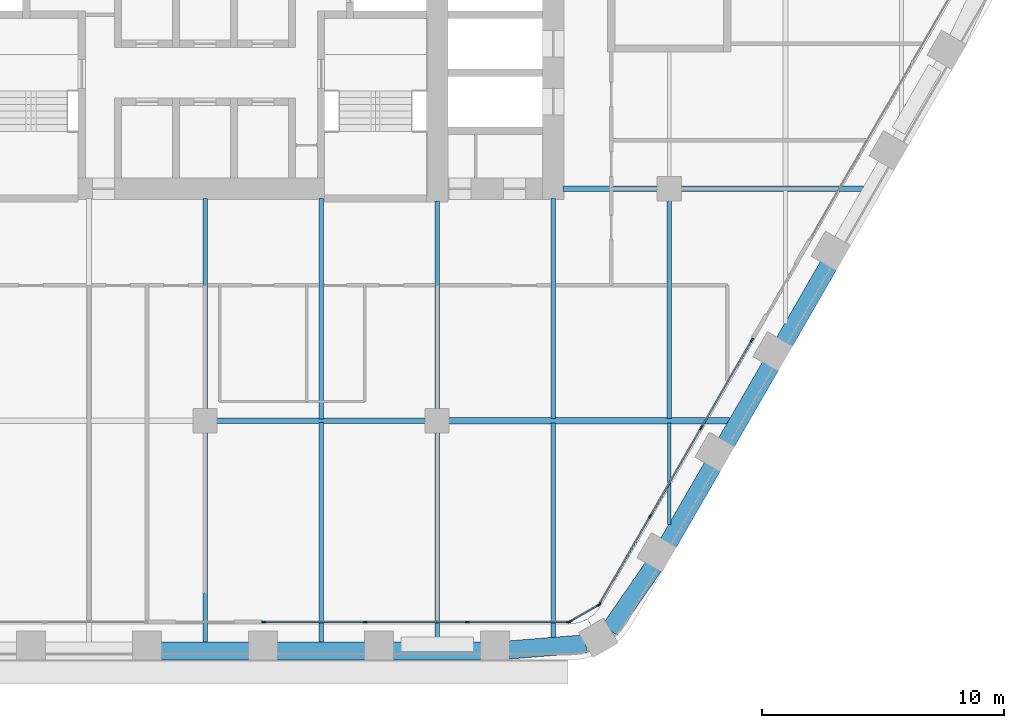
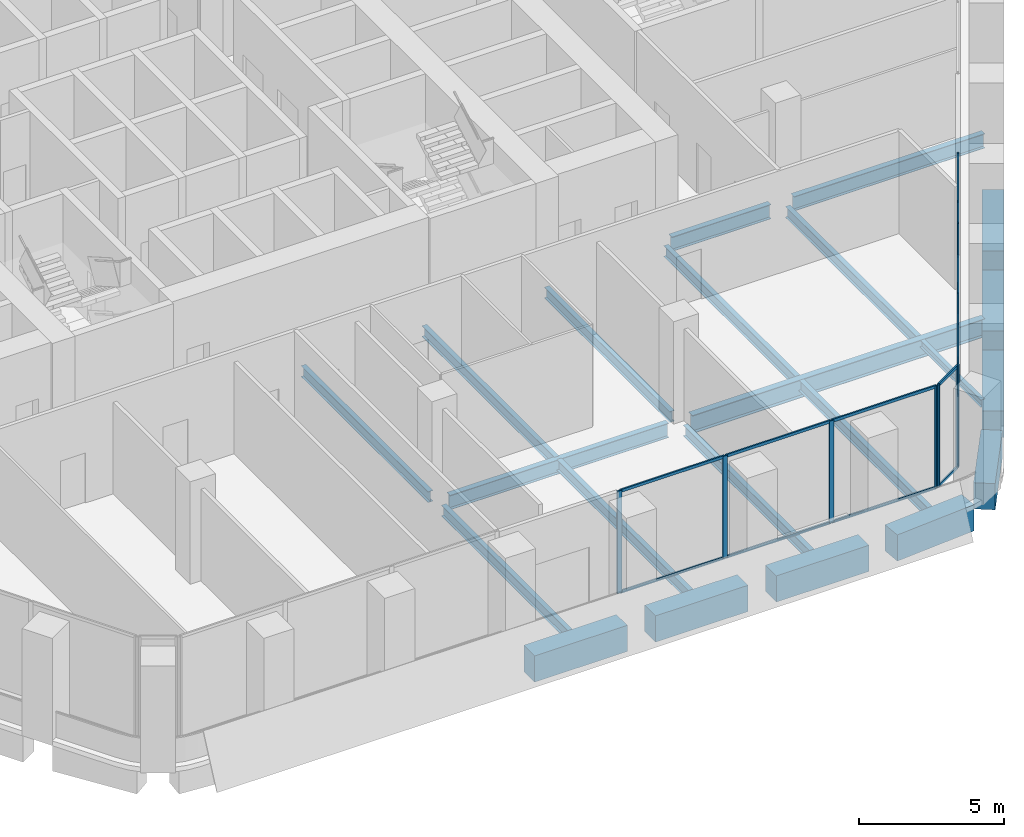
# One storey, part 4 of 23: 24 members, 22 beams, 3 elements without a shape of their own.
"""IFC4 building model written with IfcOpenShell, lengths in metres."""

from ifc_helpers import new_model, si_unit, direction, frame, origin, origin_2d, place, context, subcontext, project, spatial, rectangle, i_section, extrude, material, material_profile, profile_set, type_object, element, aggregate, save


model = new_model("IFC4")

# Units and contexts
model_context = context("Model", 3, precision=1e-05, world=origin(), true_north=direction((0.0, 1.0)))
body_context = subcontext(model_context, "Body", "Model", "MODEL_VIEW")
ifc_project = project(units=[si_unit("LENGTHUNIT", "METRE"), si_unit("AREAUNIT", "SQUARE_METRE"), si_unit("VOLUMEUNIT", "CUBIC_METRE"), si_unit("PLANEANGLEUNIT", "RADIAN"), si_unit("MASSUNIT", "GRAM", prefix="KILO")], contexts=[model_context])

# Site, building, storey
site_placement = place(None, origin())
site = spatial("IfcSite", under=ifc_project, at=site_placement, CompositionType="ELEMENT")
building_placement = place(site_placement, origin())
building = spatial("IfcBuilding", under=site, at=building_placement, Name="Kolab Exchange Tower", CompositionType="ELEMENT")
storey_placement = place(building_placement, frame((0.0, 0.0, 95.89990234375)))
storey = spatial("IfcBuildingStorey", under=building, at=storey_placement, Name="L18", CompositionType="ELEMENT", Elevation=95.89990234375)

# Beams
ifc_material_1 = material(Name="Steel S355", Category="steel")
ifc_material_profile_1 = material_profile(ifc_material_1, i_section(OverallWidth=0.1650390625, OverallDepth=0.31005859375, WebThickness=0.005859375, FlangeThickness=0.009765625, at=origin_2d()), Name="W310X39")
ifc_profile_set_1 = profile_set([ifc_material_profile_1], Name="Steel S355")
beam_type_1 = type_object("IfcBeamType", Name="FLOOR BEAM W310X39", PredefinedType="BEAM", material=ifc_profile_set_1)
beam_1_placement = place(storey_placement, frame((19.199951171875, -23.4814453125, -0.35498046875), z_axis=(0.0, 1.0, 0.0), x_axis=(-1.0, 0.0, 0.0)))
element("IfcBeam", 1, at=beam_1_placement, inside=storey, type_object=beam_type_1, Name="beam/L18/fr/040", PredefinedType="BEAM", context=body_context, shape_type="SweptSolid", body=[
    extrude(i_section(OverallWidth=0.1650390625, OverallDepth=0.31005859375, WebThickness=0.005859375, FlangeThickness=0.009765625, at=origin_2d()), origin(), (0.0, 0.0, 1.0), 4.18798828125),
])
ifc_material_profile_2 = material_profile(ifc_material_1, i_section(OverallWidth=0.18994140625, OverallDepth=0.45703125, WebThickness=0.009033203125, FlangeThickness=0.014404296875, at=origin_2d()), Name="W460X74")
ifc_profile_set_2 = profile_set([ifc_material_profile_2], Name="Steel S355")
beam_type_2 = type_object("IfcBeamType", Name="FLOOR BEAM W460X74", PredefinedType="BEAM", material=ifc_profile_set_2)
beam_2_placement = place(storey_placement, frame((0.0, -28.388427734375, -0.428466796875), z_axis=(0.0, 1.0, 0.0), x_axis=(-1.0, 0.0, 0.0)))
element("IfcBeam", 2, at=beam_2_placement, inside=storey, type_object=beam_type_2, Name="beam/L18/fr/024", PredefinedType="BEAM", context=body_context, shape_type="SweptSolid", body=[
    extrude(i_section(OverallWidth=0.18994140625, OverallDepth=0.45703125, WebThickness=0.009033203125, FlangeThickness=0.014404296875, at=origin_2d()), origin(), (0.0, 0.0, 1.0), 8.728515625),
])
beam_3_placement = place(storey_placement, frame((0.0, -18.739990234375, -0.428466796875), z_axis=(0.0, 1.0, 0.0), x_axis=(-1.0, 0.0, 0.0)))
element("IfcBeam", 3, at=beam_3_placement, inside=storey, type_object=beam_type_2, Name="beam/L18/fr/025", PredefinedType="BEAM", context=body_context, shape_type="SweptSolid", body=[
    extrude(i_section(OverallWidth=0.18994140625, OverallDepth=0.45703125, WebThickness=0.009033203125, FlangeThickness=0.014404296875, at=origin_2d()), origin(), (0.0, 0.0, 1.0), 8.72998046875),
])
beam_4_placement = place(storey_placement, frame((4.800048828125, -28.388427734375, -0.428466796875), z_axis=(0.0, 1.0, 0.0), x_axis=(-1.0, 0.0, 0.0)))
element("IfcBeam", 4, at=beam_4_placement, inside=storey, type_object=beam_type_2, Name="beam/L18/fr/028", PredefinedType="BEAM", context=body_context, shape_type="SweptSolid", body=[
    extrude(i_section(OverallWidth=0.18994140625, OverallDepth=0.45703125, WebThickness=0.009033203125, FlangeThickness=0.014404296875, at=origin_2d()), origin(), (0.0, 0.0, 1.0), 9.114501953125),
])
beam_5_placement = place(storey_placement, frame((4.800048828125, -19.1259765625, -0.428466796875), z_axis=(0.0, 1.0, 0.0), x_axis=(-1.0, 0.0, 0.0)))
element("IfcBeam", 5, at=beam_5_placement, inside=storey, type_object=beam_type_2, Name="beam/L18/fr/029", PredefinedType="BEAM", context=body_context, shape_type="SweptSolid", body=[
    extrude(i_section(OverallWidth=0.18994140625, OverallDepth=0.45703125, WebThickness=0.009033203125, FlangeThickness=0.014404296875, at=origin_2d()), origin(), (0.0, 0.0, 1.0), 9.115966796875),
])
beam_6_placement = place(storey_placement, frame((9.60009765625, -28.388427734375, -0.428466796875), z_axis=(0.0, 1.0, 0.0), x_axis=(-1.0, 0.0, 0.0)))
element("IfcBeam", 6, at=beam_6_placement, inside=storey, type_object=beam_type_2, Name="beam/L18/fr/032", PredefinedType="BEAM", context=body_context, shape_type="SweptSolid", body=[
    extrude(i_section(OverallWidth=0.18994140625, OverallDepth=0.45703125, WebThickness=0.009033203125, FlangeThickness=0.014404296875, at=origin_2d()), origin(), (0.0, 0.0, 1.0), 8.728515625),
])
beam_7_placement = place(storey_placement, frame((9.60009765625, -18.739990234375, -0.428466796875), z_axis=(0.0, 1.0, 0.0), x_axis=(-1.0, 0.0, 0.0)))
element("IfcBeam", 7, at=beam_7_placement, inside=storey, type_object=beam_type_2, Name="beam/L18/fr/033", PredefinedType="BEAM", context=body_context, shape_type="SweptSolid", body=[
    extrude(i_section(OverallWidth=0.18994140625, OverallDepth=0.45703125, WebThickness=0.009033203125, FlangeThickness=0.014404296875, at=origin_2d()), origin(), (0.0, 0.0, 1.0), 8.6298828125),
])
beam_8_placement = place(storey_placement, frame((14.39990234375, -28.194580078125, -0.428466796875), z_axis=(0.0, 1.0, 0.0), x_axis=(-1.0, 0.0, 0.0)))
element("IfcBeam", 8, at=beam_8_placement, inside=storey, type_object=beam_type_2, Name="beam/L18/fr/036", PredefinedType="BEAM", context=body_context, shape_type="SweptSolid", body=[
    extrude(i_section(OverallWidth=0.18994140625, OverallDepth=0.45703125, WebThickness=0.009033203125, FlangeThickness=0.014404296875, at=origin_2d()), origin(), (0.0, 0.0, 1.0), 8.901123046875),
])
beam_9_placement = place(storey_placement, frame((14.39990234375, -19.1064453125, -0.428466796875), z_axis=(0.0, 1.0, 0.0), x_axis=(-1.0, 0.0, 0.0)))
element("IfcBeam", 9, at=beam_9_placement, inside=storey, type_object=beam_type_2, Name="beam/L18/fr/037", PredefinedType="BEAM", context=body_context, shape_type="SweptSolid", body=[
    extrude(i_section(OverallWidth=0.18994140625, OverallDepth=0.45703125, WebThickness=0.009033203125, FlangeThickness=0.014404296875, at=origin_2d()), origin(), (0.0, 0.0, 1.0), 9.096435546875),
])
beam_10_placement = place(storey_placement, frame((19.199951171875, -19.1064453125, -0.428466796875), z_axis=(0.0, 1.0, 0.0), x_axis=(-1.0, 0.0, 0.0)))
element("IfcBeam", 10, at=beam_10_placement, inside=storey, type_object=beam_type_2, Name="beam/L18/fr/041", PredefinedType="BEAM", context=body_context, shape_type="SweptSolid", body=[
    extrude(i_section(OverallWidth=0.18994140625, OverallDepth=0.45703125, WebThickness=0.009033203125, FlangeThickness=0.014404296875, at=origin_2d()), origin(), (0.0, 0.0, 1.0), 9.04638671875),
])
ifc_material_profile_3 = material_profile(ifc_material_1, i_section(OverallWidth=0.22802734375, OverallDepth=0.60791015625, WebThickness=0.01123046875, FlangeThickness=0.017333984375, at=origin_2d()), Name="W610X113")
ifc_profile_set_3 = profile_set([ifc_material_profile_3], Name="Steel S355")
beam_type_3 = type_object("IfcBeamType", Name="FLOOR GIRDER W610X113", PredefinedType="BEAM", material=ifc_profile_set_3)
beam_11_placement = place(storey_placement, frame((0.4599609375, -19.199951171875, -0.50390625), z_axis=(1.0, 0.0, 0.0), x_axis=(0.0, 1.0, 0.0)))
element("IfcBeam", 11, at=beam_11_placement, inside=storey, type_object=beam_type_3, Name="beam/L18/gd/010", PredefinedType="BEAM", context=body_context, shape_type="SweptSolid", body=[
    extrude(i_section(OverallWidth=0.22802734375, OverallDepth=0.60791015625, WebThickness=0.01123046875, FlangeThickness=0.017333984375, at=origin_2d()), origin(), (0.0, 0.0, 1.0), 8.679931640625),
])
beam_12_placement = place(storey_placement, frame((14.81005859375, -9.60009765625, -0.50390625), z_axis=(1.0, 0.0, 0.0), x_axis=(0.0, 1.0, 0.0)))
element("IfcBeam", 12, at=beam_12_placement, inside=storey, type_object=beam_type_3, Name="beam/L18/gd/014", PredefinedType="BEAM", context=body_context, shape_type="SweptSolid", body=[
    extrude(i_section(OverallWidth=0.22802734375, OverallDepth=0.60791015625, WebThickness=0.01123046875, FlangeThickness=0.017333984375, at=origin_2d()), origin(), (0.0, 0.0, 1.0), 3.929931640625),
])
beam_13_placement = place(storey_placement, frame((19.659912109375, -9.60009765625, -0.50390625), z_axis=(1.0, 0.0, 0.0), x_axis=(0.0, 1.0, 0.0)))
element("IfcBeam", 13, at=beam_13_placement, inside=storey, type_object=beam_type_3, Name="beam/L18/gd/017", PredefinedType="BEAM", context=body_context, shape_type="SweptSolid", body=[
    extrude(i_section(OverallWidth=0.22802734375, OverallDepth=0.60791015625, WebThickness=0.01123046875, FlangeThickness=0.017333984375, at=origin_2d()), origin(), (0.0, 0.0, 1.0), 7.571533203125),
])
ifc_material_profile_4 = material_profile(ifc_material_1, i_section(OverallWidth=0.26708984375, OverallDepth=0.761962890625, WebThickness=0.014404296875, FlangeThickness=0.021484375, at=origin_2d()), Name="W760X173")
ifc_profile_set_4 = profile_set([ifc_material_profile_4], Name="Steel S355")
beam_type_4 = type_object("IfcBeamType", Name="FLOOR GIRDER W760X173", PredefinedType="BEAM", material=ifc_profile_set_4)
beam_14_placement = place(storey_placement, frame((10.06005859375, -19.199951171875, -0.580810546875), z_axis=(1.0, 0.0, 0.0), x_axis=(0.0, 1.0, 0.0)))
element("IfcBeam", 14, at=beam_14_placement, inside=storey, type_object=beam_type_4, Name="beam/L18/gd/012", PredefinedType="BEAM", context=body_context, shape_type="SweptSolid", body=[
    extrude(i_section(OverallWidth=0.26708984375, OverallDepth=0.761962890625, WebThickness=0.014404296875, FlangeThickness=0.021484375, at=origin_2d()), origin(), (0.0, 0.0, 1.0), 11.628662109375),
])
ifc_material_2 = material(Name="Concrete C70/85", Category="concrete")
ifc_material_profile_5 = material_profile(ifc_material_2, rectangle(XDim=0.75, YDim=1.10009765625, at=origin_2d()), Name="RC750X1100")
ifc_profile_set_5 = profile_set([ifc_material_profile_5], Name="Concrete C70/85")
beam_type_5 = type_object("IfcBeamType", Name="SPANDREL BEAM 750X1100 C70/85", PredefinedType="BEAM", material=ifc_profile_set_5)
beam_15_placement = place(storey_placement, frame((25.795166015625, -12.768310546875, -0.75), z_axis=(-0.499963655964, -0.866046386007, 0.0), x_axis=(0.866046386007, -0.499963655964, 0.0)))
element("IfcBeam", 15, at=beam_15_placement, inside=storey, type_object=beam_type_5, Name="beam/L18/sp/F3-04", PredefinedType="BEAM", context=body_context, shape_type="SweptSolid", body=[
    extrude(rectangle(XDim=0.75, YDim=1.10009765625, at=origin_2d()), origin(), (0.0, 0.0, 1.0), 3.679931640625),
])
for number, where, z_axis, x_axis, name in (
    (16, (23.395263671875, -16.925048828125, -0.75), (-0.500013413428, -0.866017659399, 0.0), (0.866017659399, -0.500013413428, 0.0), "beam/L18/sp/F3-05"),
    (17, (20.995361328125, -21.08203125, -0.75), (-0.500013413428, -0.866017659399, 0.0), (0.866017659399, -0.500013413428, 0.0), "beam/L18/sp/F3-06"),
):
    element("IfcBeam", number, at=place(storey_placement, frame(where, z_axis=z_axis, x_axis=x_axis)), inside=storey, type_object=beam_type_5, Name=name, PredefinedType="BEAM", context=body_context, shape_type="SweptSolid", body=[
        extrude(rectangle(XDim=0.75, YDim=1.10009765625, at=origin_2d()), origin(), (0.0, 0.0, 1.0), 3.68017578125),
    ])
for number, where, z_axis, x_axis, name in (
    (18, (18.55615234375, -25.216552734375, -0.75), (-0.567661826262, -0.823261836237, 0.0), (0.823261836237, -0.567661826262, 0.0), "beam/L18/sp/F3-07"),
    (19, (15.75830078125, -28.421630859375, -0.75), (-0.996791038408, -0.080047646748, 0.0), (0.080047646748, -0.996791038408, 0.0), "beam/L18/sp/F4-01"),
):
    element("IfcBeam", number, at=place(storey_placement, frame(where, z_axis=z_axis, x_axis=x_axis)), inside=storey, type_object=beam_type_5, Name=name, PredefinedType="BEAM", context=body_context, shape_type="SweptSolid", body=[
        extrude(rectangle(XDim=0.75, YDim=1.10009765625, at=origin_2d()), origin(), (0.0, 0.0, 1.0), 3.20849609375),
    ])
for number, where, z_axis, x_axis, name in (
    (20, (11.43994140625, -28.723388671875, -0.75), (-1.0, 0.0, 0.0), (0.0, -1.0, 0.0), "beam/L18/sp/F4-02"),
    (21, (6.639892578125, -28.723388671875, -0.75), (-1.0, 0.0, 0.0), (0.0, -1.0, 0.0), "beam/L18/sp/F4-03"),
):
    element("IfcBeam", number, at=place(storey_placement, frame(where, z_axis=z_axis, x_axis=x_axis)), inside=storey, type_object=beam_type_5, Name=name, PredefinedType="BEAM", context=body_context, shape_type="SweptSolid", body=[
        extrude(rectangle(XDim=0.75, YDim=1.10009765625, at=origin_2d()), origin(), (0.0, 0.0, 1.0), 3.679931640625),
    ])
beam_16_placement = place(storey_placement, frame((1.840087890625, -28.723388671875, -0.75), z_axis=(-1.0, 0.0, 0.0), x_axis=(0.0, -1.0, 0.0)))
element("IfcBeam", 22, at=beam_16_placement, inside=storey, type_object=beam_type_5, Name="beam/L18/sp/F4-04", PredefinedType="BEAM", context=body_context, shape_type="SweptSolid", body=[
    extrude(rectangle(XDim=0.75, YDim=1.10009765625, at=origin_2d()), origin(), (0.0, 0.0, 1.0), 3.68017578125),
])

# Curtain wall, members
ifc_material_3 = material(Name="Aluminium EN AW-6063 T6", Category="aluminium")
curtain_wall_type = type_object("IfcCurtainWallType", Name="UNITISED LOWER MID ZONE CURTAIN WALL", PredefinedType="NOTDEFINED", material=ifc_material_3)
curtain_wall_1_placement = place(storey_placement, origin())
curtain_wall_1 = element("IfcCurtainWall", 23, at=curtain_wall_1_placement, inside=storey, type_object=curtain_wall_type, Name="cw/L18/F3-2", PredefinedType="NOTDEFINED")
ifc_material_profile_6 = material_profile(ifc_material_3, rectangle(XDim=0.06005859375, YDim=0.179931640625, at=origin_2d()), Name="RECT 60X180")
ifc_profile_set_6 = profile_set([ifc_material_profile_6], Name="Aluminium EN AW-6063 T6")
member_type_1 = type_object("IfcMemberType", Name="UNITISED LOWER MID ZONE MULLION 60 X 180", PredefinedType="MULLION", material=ifc_profile_set_6)
member_1_placement = place(storey_placement, frame((22.61669921875, -15.86376953125, 0.0), z_axis=(0.0, 0.0, 1.0), x_axis=(0.866025393644, -0.500000017564, 0.0)))
member_1 = element("IfcMember", 24, at=member_1_placement, type_object=member_type_1, Name="CW2 mullion 1", PredefinedType="MULLION", context=body_context, shape_type="SweptSolid", body=[
    extrude(rectangle(XDim=0.06005859375, YDim=0.179931640625, at=origin_2d()), origin(), (0.0, 0.0, 1.0), 4.300048828125),
])
member_2_placement = place(storey_placement, frame((20.520263671875, -19.49462890625, 0.0), z_axis=(0.0, 0.0, 1.0), x_axis=(0.866025393644, -0.500000017564, 0.0)))
member_2 = element("IfcMember", 25, at=member_2_placement, type_object=member_type_1, Name="CW2 mullion 2", PredefinedType="MULLION", context=body_context, shape_type="SweptSolid", body=[
    extrude(rectangle(XDim=0.06005859375, YDim=0.179931640625, at=origin_2d()), origin(), (0.0, 0.0, 1.0), 4.300048828125),
])
member_3_placement = place(storey_placement, frame((18.408935546875, -23.151611328125, 0.0), z_axis=(0.0, 0.0, 1.0), x_axis=(0.866025393644, -0.500000017564, 0.0)))
member_3 = element("IfcMember", 26, at=member_3_placement, type_object=member_type_1, Name="CW2 mullion 3", PredefinedType="MULLION", context=body_context, shape_type="SweptSolid", body=[
    extrude(rectangle(XDim=0.06005859375, YDim=0.179931640625, at=origin_2d()), origin(), (0.0, 0.0, 1.0), 4.300048828125),
])
member_4_placement = place(storey_placement, frame((16.312744140625, -26.782470703125, 0.0), z_axis=(0.0, 0.0, 1.0), x_axis=(0.866025393644, -0.500000017564, 0.0)))
member_4 = element("IfcMember", 27, at=member_4_placement, type_object=member_type_1, Name="CW2 mullion 4", PredefinedType="MULLION", context=body_context, shape_type="SweptSolid", body=[
    extrude(rectangle(XDim=0.06005859375, YDim=0.179931640625, at=origin_2d()), origin(), (0.0, 0.0, 1.0), 4.300048828125),
])

curtain_wall_2_placement = place(storey_placement, origin())
curtain_wall_2 = element("IfcCurtainWall", 28, at=curtain_wall_2_placement, inside=storey, type_object=curtain_wall_type, Name="cw/L18/F4-1", PredefinedType="NOTDEFINED")
member_5_placement = place(storey_placement, frame((15.037841796875, -27.5185546875, 0.0), z_axis=(0.0, 0.0, 1.0), x_axis=(0.0, -1.0, 0.0)))
member_5 = element("IfcMember", 29, at=member_5_placement, type_object=member_type_1, Name="CW2 mullion 1", PredefinedType="MULLION", context=body_context, shape_type="SweptSolid", body=[
    extrude(rectangle(XDim=0.06005859375, YDim=0.179931640625, at=origin_2d()), origin(), (0.0, 0.0, 1.0), 4.300048828125),
])
member_6_placement = place(storey_placement, frame((10.84521484375, -27.5185546875, 0.0), z_axis=(0.0, 0.0, 1.0), x_axis=(0.0, -1.0, 0.0)))
member_6 = element("IfcMember", 30, at=member_6_placement, type_object=member_type_1, Name="CW2 mullion 2", PredefinedType="MULLION", context=body_context, shape_type="SweptSolid", body=[
    extrude(rectangle(XDim=0.06005859375, YDim=0.179931640625, at=origin_2d()), origin(), (0.0, 0.0, 1.0), 4.300048828125),
])
member_7_placement = place(storey_placement, frame((6.62255859375, -27.5185546875, 0.0), z_axis=(0.0, 0.0, 1.0), x_axis=(0.0, -1.0, 0.0)))
member_7 = element("IfcMember", 31, at=member_7_placement, type_object=member_type_1, Name="CW2 mullion 3", PredefinedType="MULLION", context=body_context, shape_type="SweptSolid", body=[
    extrude(rectangle(XDim=0.06005859375, YDim=0.179931640625, at=origin_2d()), origin(), (0.0, 0.0, 1.0), 4.300048828125),
])
member_8_placement = place(storey_placement, frame((2.429931640625, -27.5185546875, 0.0), z_axis=(0.0, 0.0, 1.0), x_axis=(0.0, -1.0, 0.0)))
member_8 = element("IfcMember", 32, at=member_8_placement, type_object=member_type_1, Name="CW2 mullion 4", PredefinedType="MULLION", context=body_context, shape_type="SweptSolid", body=[
    extrude(rectangle(XDim=0.06005859375, YDim=0.179931640625, at=origin_2d()), origin(), (0.0, 0.0, 1.0), 4.300048828125),
])

curtain_wall_3_placement = place(storey_placement, origin())
curtain_wall_3 = element("IfcCurtainWall", 33, at=curtain_wall_3_placement, inside=storey, type_object=curtain_wall_type, Name="cw/L18/F3F4-corner", PredefinedType="NOTDEFINED")
member_9_placement = place(storey_placement, frame((16.271728515625, -26.823486328125, 0.0), z_axis=(0.0, 0.0, 1.0), x_axis=(0.50000002237, -0.866025390869, 0.0)))
member_9 = element("IfcMember", 34, at=member_9_placement, type_object=member_type_1, Name="CW2 mullion 1", PredefinedType="MULLION", context=body_context, shape_type="SweptSolid", body=[
    extrude(rectangle(XDim=0.06005859375, YDim=0.179931640625, at=origin_2d()), origin(), (0.0, 0.0, 1.0), 4.300048828125),
])
member_10_placement = place(storey_placement, frame((15.093994140625, -27.50341796875, 0.0), z_axis=(0.0, 0.0, 1.0), x_axis=(0.50000002237, -0.866025390869, 0.0)))
member_10 = element("IfcMember", 35, at=member_10_placement, type_object=member_type_1, Name="CW2 mullion 2", PredefinedType="MULLION", context=body_context, shape_type="SweptSolid", body=[
    extrude(rectangle(XDim=0.06005859375, YDim=0.179931640625, at=origin_2d()), origin(), (0.0, 0.0, 1.0), 4.300048828125),
])

# Member
ifc_material_profile_7 = material_profile(ifc_material_3, rectangle(XDim=0.06005859375, YDim=0.1201171875, at=origin_2d()), Name="RECT 60X120")
ifc_profile_set_7 = profile_set([ifc_material_profile_7], Name="Aluminium EN AW-6063 T6")
member_type_2 = type_object("IfcMemberType", Name="UNITISED LOWER MID ZONE TRANSOM 60 X 120", PredefinedType="USERDEFINED", material=ifc_profile_set_7)
member_11_placement = place(storey_placement, frame((22.6015625, -15.8896484375, 0.030029296875), z_axis=(-0.499957688808, -0.866049830784, 0.0), x_axis=(0.866049830784, -0.499957688808, 0.0)))
member_11 = element("IfcMember", 36, at=member_11_placement, type_object=member_type_2, Name="CW2 transom 1.1", ObjectType="TRANSOM", PredefinedType="USERDEFINED", context=body_context, shape_type="SweptSolid", body=[
    extrude(rectangle(XDim=0.06005859375, YDim=0.1201171875, at=origin_2d()), origin(), (0.0, 0.0, 1.0), 4.132568359375),
])

member_12_placement = place(storey_placement, frame((22.6015625, -15.8896484375, 4.27001953125), z_axis=(-0.499957688808, -0.866049830784, 0.0), x_axis=(0.866049830784, -0.499957688808, 0.0)))
member_12 = element("IfcMember", 37, at=member_12_placement, type_object=member_type_2, Name="CW2 transom 1.2", ObjectType="TRANSOM", PredefinedType="USERDEFINED", context=body_context, shape_type="SweptSolid", body=[
    extrude(rectangle(XDim=0.06005859375, YDim=0.1201171875, at=origin_2d()), origin(), (0.0, 0.0, 1.0), 4.132568359375),
])

member_13_placement = place(storey_placement, frame((20.50537109375, -19.5205078125, 0.030029296875), z_axis=(-0.49999322259, -0.866029316688, 0.0), x_axis=(0.866029316688, -0.49999322259, 0.0)))
member_13 = element("IfcMember", 38, at=member_13_placement, type_object=member_type_2, Name="CW2 transom 2.1", ObjectType="TRANSOM", PredefinedType="USERDEFINED", context=body_context, shape_type="SweptSolid", body=[
    extrude(rectangle(XDim=0.06005859375, YDim=0.1201171875, at=origin_2d()), origin(), (0.0, 0.0, 1.0), 4.16259765625),
])

member_14_placement = place(storey_placement, frame((20.50537109375, -19.5205078125, 4.27001953125), z_axis=(-0.49999322259, -0.866029316688, 0.0), x_axis=(0.866029316688, -0.49999322259, 0.0)))
member_14 = element("IfcMember", 39, at=member_14_placement, type_object=member_type_2, Name="CW2 transom 2.2", ObjectType="TRANSOM", PredefinedType="USERDEFINED", context=body_context, shape_type="SweptSolid", body=[
    extrude(rectangle(XDim=0.06005859375, YDim=0.1201171875, at=origin_2d()), origin(), (0.0, 0.0, 1.0), 4.16259765625),
])

member_15_placement = place(storey_placement, frame((18.39404296875, -23.177490234375, 0.030029296875), z_axis=(-0.500001996123, -0.866024251319, 0.0), x_axis=(0.866024251319, -0.500001996123, 0.0)))
member_15 = element("IfcMember", 40, at=member_15_placement, type_object=member_type_2, Name="CW2 transom 3.1", ObjectType="TRANSOM", PredefinedType="USERDEFINED", context=body_context, shape_type="SweptSolid", body=[
    extrude(rectangle(XDim=0.06005859375, YDim=0.1201171875, at=origin_2d()), origin(), (0.0, 0.0, 1.0), 4.1328125),
])

member_16_placement = place(storey_placement, frame((18.39404296875, -23.177490234375, 4.27001953125), z_axis=(-0.500001996123, -0.866024251319, 0.0), x_axis=(0.866024251319, -0.500001996123, 0.0)))
member_16 = element("IfcMember", 41, at=member_16_placement, type_object=member_type_2, Name="CW2 transom 3.2", ObjectType="TRANSOM", PredefinedType="USERDEFINED", context=body_context, shape_type="SweptSolid", body=[
    extrude(rectangle(XDim=0.06005859375, YDim=0.1201171875, at=origin_2d()), origin(), (0.0, 0.0, 1.0), 4.1328125),
])

aggregate(curtain_wall_1, [member_1, member_2, member_3, member_4, member_11, member_12, member_13, member_14, member_15, member_16])

member_17_placement = place(storey_placement, frame((15.008056640625, -27.5185546875, 0.030029296875), z_axis=(-1.0, 0.0, 0.0), x_axis=(0.0, -1.0, 0.0)))
member_17 = element("IfcMember", 42, at=member_17_placement, type_object=member_type_2, Name="CW2 transom 1.1", ObjectType="TRANSOM", PredefinedType="USERDEFINED", context=body_context, shape_type="SweptSolid", body=[
    extrude(rectangle(XDim=0.06005859375, YDim=0.1201171875, at=origin_2d()), origin(), (0.0, 0.0, 1.0), 4.1328125),
])

member_18_placement = place(storey_placement, frame((15.008056640625, -27.5185546875, 4.27001953125), z_axis=(-1.0, 0.0, 0.0), x_axis=(0.0, -1.0, 0.0)))
member_18 = element("IfcMember", 43, at=member_18_placement, type_object=member_type_2, Name="CW2 transom 1.2", ObjectType="TRANSOM", PredefinedType="USERDEFINED", context=body_context, shape_type="SweptSolid", body=[
    extrude(rectangle(XDim=0.06005859375, YDim=0.1201171875, at=origin_2d()), origin(), (0.0, 0.0, 1.0), 4.1328125),
])

member_19_placement = place(storey_placement, frame((10.815185546875, -27.5185546875, 0.030029296875), z_axis=(-1.0, 0.0, 0.0), x_axis=(0.0, -1.0, 0.0)))
member_19 = element("IfcMember", 44, at=member_19_placement, type_object=member_type_2, Name="CW2 transom 2.1", ObjectType="TRANSOM", PredefinedType="USERDEFINED", context=body_context, shape_type="SweptSolid", body=[
    extrude(rectangle(XDim=0.06005859375, YDim=0.1201171875, at=origin_2d()), origin(), (0.0, 0.0, 1.0), 4.16259765625),
])

member_20_placement = place(storey_placement, frame((10.815185546875, -27.5185546875, 4.27001953125), z_axis=(-1.0, 0.0, 0.0), x_axis=(0.0, -1.0, 0.0)))
member_20 = element("IfcMember", 45, at=member_20_placement, type_object=member_type_2, Name="CW2 transom 2.2", ObjectType="TRANSOM", PredefinedType="USERDEFINED", context=body_context, shape_type="SweptSolid", body=[
    extrude(rectangle(XDim=0.06005859375, YDim=0.1201171875, at=origin_2d()), origin(), (0.0, 0.0, 1.0), 4.16259765625),
])

member_21_placement = place(storey_placement, frame((6.592529296875, -27.5185546875, 0.030029296875), z_axis=(-1.0, 0.0, 0.0), x_axis=(0.0, -1.0, 0.0)))
member_21 = element("IfcMember", 46, at=member_21_placement, type_object=member_type_2, Name="CW2 transom 3.1", ObjectType="TRANSOM", PredefinedType="USERDEFINED", context=body_context, shape_type="SweptSolid", body=[
    extrude(rectangle(XDim=0.06005859375, YDim=0.1201171875, at=origin_2d()), origin(), (0.0, 0.0, 1.0), 4.132568359375),
])

member_22_placement = place(storey_placement, frame((6.592529296875, -27.5185546875, 4.27001953125), z_axis=(-1.0, 0.0, 0.0), x_axis=(0.0, -1.0, 0.0)))
member_22 = element("IfcMember", 47, at=member_22_placement, type_object=member_type_2, Name="CW2 transom 3.2", ObjectType="TRANSOM", PredefinedType="USERDEFINED", context=body_context, shape_type="SweptSolid", body=[
    extrude(rectangle(XDim=0.06005859375, YDim=0.1201171875, at=origin_2d()), origin(), (0.0, 0.0, 1.0), 4.132568359375),
])

aggregate(curtain_wall_2, [member_5, member_6, member_7, member_8, member_17, member_18, member_19, member_20, member_21, member_22])

member_23_placement = place(storey_placement, frame((16.245849609375, -26.83837890625, 0.030029296875), z_axis=(-0.866004217611, -0.500036693733, 0.0), x_axis=(0.500036693733, -0.866004217611, 0.0)))
member_23 = element("IfcMember", 48, at=member_23_placement, type_object=member_type_2, Name="CW2 transom 1.1", ObjectType="TRANSOM", PredefinedType="USERDEFINED", context=body_context, shape_type="SweptSolid", body=[
    extrude(rectangle(XDim=0.06005859375, YDim=0.1201171875, at=origin_2d()), origin(), (0.0, 0.0, 1.0), 1.30029296875),
])

member_24_placement = place(storey_placement, frame((16.245849609375, -26.83837890625, 4.27001953125), z_axis=(-0.866004217611, -0.500036693733, 0.0), x_axis=(0.500036693733, -0.866004217611, 0.0)))
member_24 = element("IfcMember", 49, at=member_24_placement, type_object=member_type_2, Name="CW2 transom 1.2", ObjectType="TRANSOM", PredefinedType="USERDEFINED", context=body_context, shape_type="SweptSolid", body=[
    extrude(rectangle(XDim=0.06005859375, YDim=0.1201171875, at=origin_2d()), origin(), (0.0, 0.0, 1.0), 1.30029296875),
])

aggregate(curtain_wall_3, [member_9, member_10, member_23, member_24])

save(model, "model.ifc")
